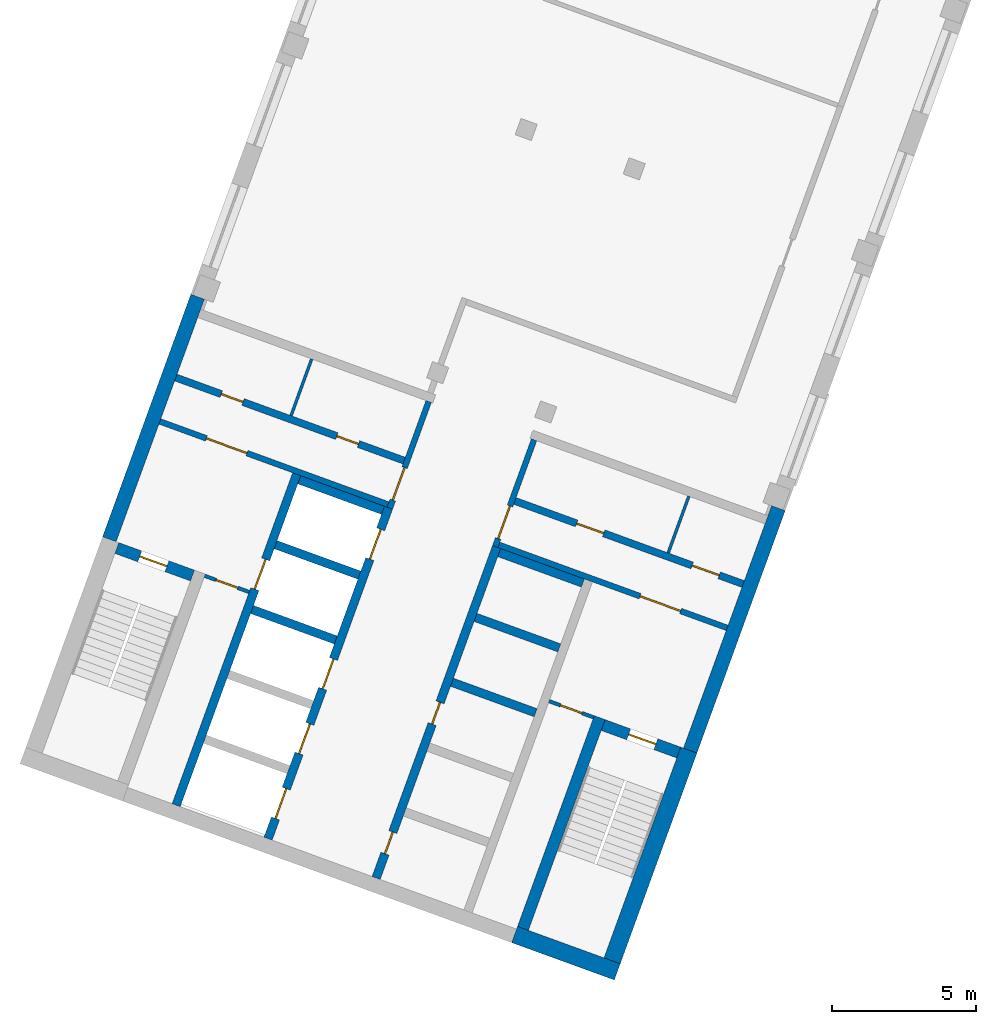
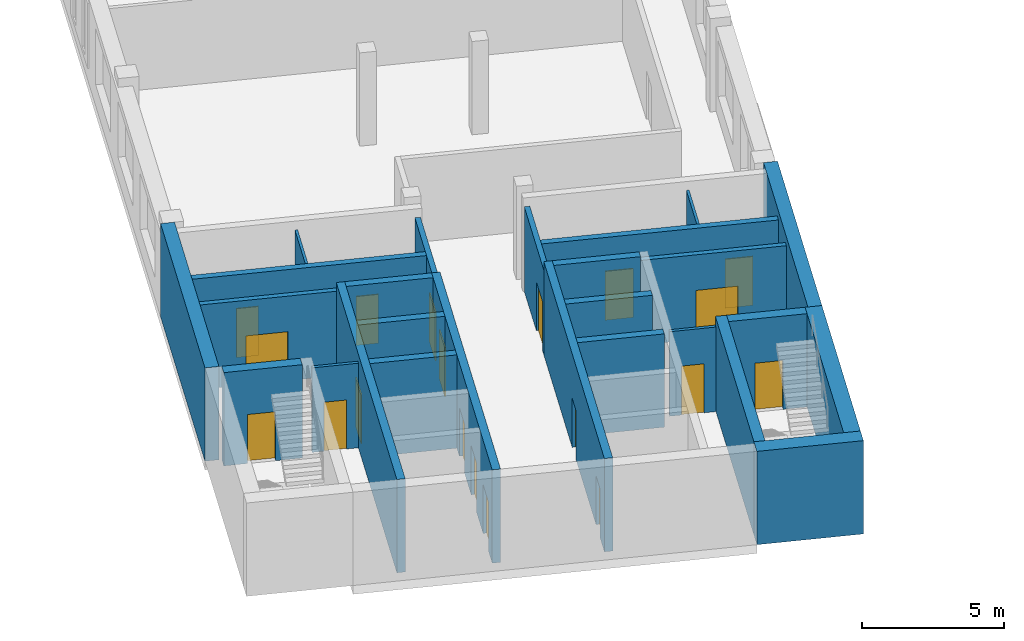
# One storey, part 2 of 8: 26 walls, 19 doors, 19 openings.
"""IFC4 building model written with IfcOpenShell, lengths in metres."""

from ifc_helpers import new_model, si_unit, direction, frame, frame_2d, origin, place, context, subcontext, project, spatial, rectangle, extrude, material, layer, layer_set, type_object, element, fill, save


model = new_model("IFC4")

# Units and contexts
model_context = context("Model", 3, precision=1e-05, world=origin(), true_north=direction((0.0, 1.0)))
body_context = subcontext(model_context, "Body", "Model", "MODEL_VIEW")
ifc_project = project(units=[si_unit("LENGTHUNIT", "METRE"), si_unit("AREAUNIT", "SQUARE_METRE"), si_unit("VOLUMEUNIT", "CUBIC_METRE"), si_unit("PLANEANGLEUNIT", "RADIAN"), si_unit("MASSUNIT", "GRAM", prefix="KILO")], contexts=[model_context])

# Site, building, storey
site_placement = place(None, origin())
site = spatial("IfcSite", under=ifc_project, at=site_placement, CompositionType="ELEMENT")
building_placement = place(site_placement, origin())
building = spatial("IfcBuilding", under=site, at=building_placement, Name="Skarvind Civic Tower", CompositionType="ELEMENT")
storey_placement = place(building_placement, frame((0.0, 0.0, 216.0)))
storey = spatial("IfcBuildingStorey", under=building, at=storey_placement, Name="L51", CompositionType="ELEMENT", Elevation=216.0)

# Wall, opening, door
ifc_material_1 = material(Name="Fire-rated masonry partition", Category="masonry")
ifc_layer_1 = layer(ifc_material_1, 0.199951171875)
ifc_layer_set_1 = layer_set([ifc_layer_1], Name="Core enclosure wall 200")
wall_type_1 = type_object("IfcWallType", Name="Core enclosure wall 200", PredefinedType="PARTITIONING", material=ifc_layer_set_1)
wall_1_placement = place(storey_placement, frame((31.42724609375, 93.663330078125, 0.0), z_axis=(0.0, 0.0, 1.0), x_axis=(0.342030870568, 0.93968871632, 0.0)))
wall_1 = element("IfcWall", 1, at=wall_1_placement, inside=storey, type_object=wall_type_1, Name="Core wall C2", PredefinedType="PARTITIONING", context=body_context, shape_type="SweptSolid", body=[
    extrude(rectangle(XDim=3.9501953125, YDim=0.199951171875, at=frame_2d((1.97509765625, 0.0))), origin(), (0.0, 0.0, 1.0), 3.625),
])
opening_1_placement = place(wall_1_placement, frame((0.300048828125, 0.0, 0.0)))
opening_1 = element("IfcOpeningElement", 2, at=opening_1_placement, cuts=wall_1, Name="Opening D-L51-C2-07", PredefinedType="OPENING", context=body_context, shape_type="SweptSolid", body=[
    extrude(rectangle(XDim=1.199951171875, YDim=2.10009765625, at=frame_2d((0.60009765625, 1.050048828125))), frame((0.0, 0.10986328125, 0.0), z_axis=(0.0, -1.0, 0.0), x_axis=(1.0, 0.0, 0.0)), (0.0, 0.0, 1.0), 0.219970703125),
])
ifc_material_2 = material(Name="Fire-rated steel door", Category="steel")
door_type_1 = type_object("IfcDoorType", Name="Core lobby door 1200", OperationType="NOTDEFINED", PredefinedType="DOOR", material=ifc_material_2)
door_1_placement = place(opening_1_placement, origin())
door_1 = element("IfcDoor", 3, at=door_1_placement, inside=storey, type_object=door_type_1, Name="Fire door", OperationType="DOUBLE_DOOR_SINGLE_SWING", OverallHeight=2.10009765625, OverallWidth=1.199951171875, PredefinedType="DOOR", context=body_context, shape_type="SweptSolid", body=[
    extrude(rectangle(XDim=1.199951171875, YDim=2.10009765625, at=frame_2d((0.60009765625, 1.050048828125))), frame((0.0, 0.02490234375, 0.0), z_axis=(0.0, -1.0, 0.0), x_axis=(1.0, 0.0, 0.0)), (0.0, 0.0, 1.0), 0.050048828125),
])
fill(opening_1, door_1)

wall_2_placement = place(storey_placement, frame((23.42724609375, 96.681640625, 0.0), z_axis=(0.0, 0.0, 1.0), x_axis=(0.939690465531, -0.342026064782, 0.0)))
wall_2 = element("IfcWall", 4, at=wall_2_placement, inside=storey, type_object=wall_type_1, Name="Core wall C2", PredefinedType="PARTITIONING", context=body_context, shape_type="SweptSolid", body=[
    extrude(rectangle(XDim=8.449951171875, YDim=0.199951171875, at=frame_2d((4.22509765625, 0.0))), origin(), (0.0, 0.0, 1.0), 3.625),
])
opening_2_placement = place(wall_2_placement, frame((1.72509765625, 0.0, 0.0)))
opening_2 = element("IfcOpeningElement", 5, at=opening_2_placement, cuts=wall_2, Name="Opening D-L51-C2-08", PredefinedType="OPENING", context=body_context, shape_type="SweptSolid", body=[
    extrude(rectangle(XDim=1.5, YDim=2.10009765625, at=frame_2d((0.75, 1.050048828125))), frame((0.0, 0.10986328125, 0.0), z_axis=(0.0, -1.0, 0.0), x_axis=(1.0, 0.0, 0.0)), (0.0, 0.0, 1.0), 0.219970703125),
])
door_type_2 = type_object("IfcDoorType", Name="Fire door 1500", OperationType="NOTDEFINED", PredefinedType="DOOR", material=ifc_material_2)
door_2_placement = place(opening_2_placement, origin())
door_2 = element("IfcDoor", 6, at=door_2_placement, inside=storey, type_object=door_type_2, Name="Fire door", OperationType="DOUBLE_DOOR_SINGLE_SWING", OverallHeight=2.10009765625, OverallWidth=1.5, PredefinedType="DOOR", context=body_context, shape_type="SweptSolid", body=[
    extrude(rectangle(XDim=1.5, YDim=2.10009765625, at=frame_2d((0.75, 1.050048828125))), frame((0.0, 0.02490234375, 0.0), z_axis=(0.0, -1.0, 0.0), x_axis=(1.0, 0.0, 0.0)), (0.0, 0.0, 1.0), 0.050048828125),
])
fill(opening_2, door_2)

wall_3_placement = place(storey_placement, frame((36.443115234375, 96.041259765625, 0.0), z_axis=(0.0, 0.0, 1.0), x_axis=(-0.341996156931, -0.939701350773, 0.0)))
wall_3 = element("IfcWall", 7, at=wall_3_placement, inside=storey, type_object=wall_type_1, Name="Core wall C2", PredefinedType="PARTITIONING", context=body_context, shape_type="SweptSolid", body=[
    extrude(rectangle(XDim=3.949951171875, YDim=0.199951171875, at=frame_2d((1.97509765625, 0.0))), origin(), (0.0, 0.0, 1.0), 3.625),
])
opening_3_placement = place(wall_3_placement, frame((2.449951171875, 0.0, 0.0)))
opening_3 = element("IfcOpeningElement", 8, at=opening_3_placement, cuts=wall_3, Name="Opening D-L51-C2-13", PredefinedType="OPENING", context=body_context, shape_type="SweptSolid", body=[
    extrude(rectangle(XDim=1.199951171875, YDim=2.10009765625, at=frame_2d((0.60009765625, 1.050048828125))), frame((0.0, 0.10986328125, 0.0), z_axis=(0.0, -1.0, 0.0), x_axis=(1.0, 0.0, 0.0)), (0.0, 0.0, 1.0), 0.219970703125),
])
door_3_placement = place(opening_3_placement, origin())
door_3 = element("IfcDoor", 9, at=door_3_placement, inside=storey, type_object=door_type_1, Name="Fire door", OperationType="DOUBLE_DOOR_SINGLE_SWING", OverallHeight=2.10009765625, OverallWidth=1.199951171875, PredefinedType="DOOR", context=body_context, shape_type="SweptSolid", body=[
    extrude(rectangle(XDim=1.199951171875, YDim=2.10009765625, at=frame_2d((0.60009765625, 1.050048828125))), frame((0.0, 0.02490234375, 0.0), z_axis=(0.0, -1.0, 0.0), x_axis=(1.0, 0.0, 0.0)), (0.0, 0.0, 1.0), 0.050048828125),
])
fill(opening_3, door_3)

wall_4_placement = place(storey_placement, frame((35.22021484375, 92.389404296875, 0.0), z_axis=(0.0, 0.0, 1.0), x_axis=(0.939690465531, -0.342026064782, 0.0)))
wall_4 = element("IfcWall", 10, at=wall_4_placement, inside=storey, type_object=wall_type_1, Name="Core wall C2", PredefinedType="PARTITIONING", context=body_context, shape_type="SweptSolid", body=[
    extrude(rectangle(XDim=8.449951171875, YDim=0.199951171875, at=frame_2d((4.22509765625, 0.0))), origin(), (0.0, 0.0, 1.0), 3.625),
])
opening_4_placement = place(wall_4_placement, frame((5.22509765625, 0.0, 0.0)))
opening_4 = element("IfcOpeningElement", 11, at=opening_4_placement, cuts=wall_4, Name="Opening D-L51-C2-14", PredefinedType="OPENING", context=body_context, shape_type="SweptSolid", body=[
    extrude(rectangle(XDim=1.5, YDim=2.10009765625, at=frame_2d((0.75, 1.050048828125))), frame((0.0, 0.10986328125, 0.0), z_axis=(0.0, -1.0, 0.0), x_axis=(1.0, 0.0, 0.0)), (0.0, 0.0, 1.0), 0.219970703125),
])
door_4_placement = place(opening_4_placement, origin())
door_4 = element("IfcDoor", 12, at=door_4_placement, inside=storey, type_object=door_type_2, Name="Fire door", OperationType="DOUBLE_DOOR_SINGLE_SWING", OverallHeight=2.10009765625, OverallWidth=1.5, PredefinedType="DOOR", context=body_context, shape_type="SweptSolid", body=[
    extrude(rectangle(XDim=1.5, YDim=2.10009765625, at=frame_2d((0.75, 1.050048828125))), frame((0.0, 0.02490234375, 0.0), z_axis=(0.0, -1.0, 0.0), x_axis=(1.0, 0.0, 0.0)), (0.0, 0.0, 1.0), 0.050048828125),
])
fill(opening_4, door_4)

# Walls
ifc_material_3 = material(Name="Fire-rated plasterboard partition")
ifc_layer_2 = layer(ifc_material_3, 0.10009765625)
ifc_layer_set_2 = layer_set([ifc_layer_2], Name="Core partition wall 100")
wall_type_2 = type_object("IfcWallType", Name="Core partition wall 100", PredefinedType="PARTITIONING", material=ifc_layer_set_2)
for number, where, z_axis, x_axis, name in (
    (13, (27.9912109375, 96.8828125, 0.0), (0.0, 0.0, 1.0), (0.342023078919, 0.939691552312, 0.0), "Core wall C2"),
    (14, (41.82763671875, 94.08154296875, 0.0), (0.0, 0.0, 1.0), (-0.342023078919, -0.939691552312, 0.0), "Core wall C2"),
):
    element("IfcWall", number, at=place(storey_placement, frame(where, z_axis=z_axis, x_axis=x_axis)), inside=storey, type_object=wall_type_2, Name=name, PredefinedType="PARTITIONING", context=body_context, shape_type="SweptSolid", body=[
        extrude(rectangle(XDim=2.10009765625, YDim=0.10009765625, at=frame_2d((1.050048828125, 0.0))), origin(), (0.0, 0.0, 1.0), 3.625),
    ])

# Wall, openings, doors
ifc_material_4 = material(Name="Concrete C60", Category="concrete")
ifc_layer_3 = layer(ifc_material_4, 0.300048828125)
ifc_layer_set_3 = layer_set([ifc_layer_3], Name="Core wall 300 C60")
wall_type_3 = type_object("IfcWallType", Name="Core wall 300 C60", PredefinedType="SHEAR", material=ifc_layer_set_3)
wall_5_placement = place(storey_placement, frame((30.949462890625, 80.80126953125, 0.0), z_axis=(0.0, 0.0, 1.0), x_axis=(0.342016684409, 0.939693879721, 0.0)))
wall_5 = element("IfcWall", 15, at=wall_5_placement, inside=storey, type_object=wall_type_3, Name="Core wall C2 south lift row front L51", PredefinedType="SHEAR", context=body_context, shape_type="SweptSolid", body=[
    extrude(rectangle(XDim=12.25, YDim=0.300048828125, at=frame_2d((6.125, 0.0))), origin(), (0.0, 0.0, 1.0), 4.0),
])
opening_5_placement = place(wall_5_placement, frame((0.89990234375, 0.0, 0.0)))
opening_5 = element("IfcOpeningElement", 16, at=opening_5_placement, cuts=wall_5, Name="Opening D-L51-C2-05", PredefinedType="OPENING", context=body_context, shape_type="SweptSolid", body=[
    extrude(rectangle(XDim=0.800048828125, YDim=2.10009765625, at=frame_2d((0.39990234375, 1.050048828125))), frame((0.0, 0.159912109375, 0.0), z_axis=(0.0, -1.0, 0.0), x_axis=(1.0, 0.0, 0.0)), (0.0, 0.0, 1.0), 0.320068359375),
])
opening_6_placement = place(wall_5_placement, frame((5.699951171875, 0.0, 0.0)))
opening_6 = element("IfcOpeningElement", 17, at=opening_6_placement, cuts=wall_5, Name="Opening D-L51-C2-06", PredefinedType="OPENING", context=body_context, shape_type="SweptSolid", body=[
    extrude(rectangle(XDim=0.800048828125, YDim=2.10009765625, at=frame_2d((0.39990234375, 1.050048828125))), frame((0.0, 0.159912109375, 0.0), z_axis=(0.0, -1.0, 0.0), x_axis=(1.0, 0.0, 0.0)), (0.0, 0.0, 1.0), 0.320068359375),
])
door_type_3 = type_object("IfcDoorType", Name="Core riser door 800", OperationType="NOTDEFINED", PredefinedType="DOOR", material=ifc_material_2)
door_5_placement = place(opening_5_placement, origin())
door_5 = element("IfcDoor", 18, at=door_5_placement, inside=storey, type_object=door_type_3, Name="Riser door", OperationType="SINGLE_SWING_LEFT", OverallHeight=2.10009765625, OverallWidth=0.800048828125, PredefinedType="DOOR", context=body_context, shape_type="SweptSolid", body=[
    extrude(rectangle(XDim=0.800048828125, YDim=2.10009765625, at=frame_2d((0.39990234375, 1.050048828125))), frame((0.0, 0.02490234375, 0.0), z_axis=(0.0, -1.0, 0.0), x_axis=(1.0, 0.0, 0.0)), (0.0, 0.0, 1.0), 0.050048828125),
])
fill(opening_5, door_5)
door_6_placement = place(opening_6_placement, origin())
door_6 = element("IfcDoor", 19, at=door_6_placement, inside=storey, type_object=door_type_3, Name="Riser door", OperationType="SINGLE_SWING_RIGHT", OverallHeight=2.10009765625, OverallWidth=0.800048828125, PredefinedType="DOOR", context=body_context, shape_type="SweptSolid", body=[
    extrude(rectangle(XDim=0.800048828125, YDim=2.10009765625, at=frame_2d((0.39990234375, 1.050048828125))), frame((0.0, 0.02490234375, 0.0), z_axis=(0.0, -1.0, 0.0), x_axis=(1.0, 0.0, 0.0)), (0.0, 0.0, 1.0), 0.050048828125),
])
fill(opening_6, door_6)

# Walls
for number, where, z_axis, x_axis, name in (
    (20, (36.500244140625, 86.54931640625, 0.0), (0.0, 0.0, 1.0), (-0.939689908313, 0.342027595692, 0.0), "Core wall C2 south lift row division 3 L51"),
    (21, (37.321044921875, 88.8046875, 0.0), (0.0, 0.0, 1.0), (-0.939689908313, 0.342027595692, 0.0), "Core wall C2 south lift row division 4 L51"),
    (22, (38.141845703125, 91.059814453125, 0.0), (0.0, 0.0, 1.0), (-0.939689908313, 0.342027595692, 0.0), "Core wall C2 south lift row division 5 L51"),
):
    element("IfcWall", number, at=place(storey_placement, frame(where, z_axis=z_axis, x_axis=x_axis)), inside=storey, type_object=wall_type_3, Name=name, PredefinedType="SHEAR", context=body_context, shape_type="SweptSolid", body=[
        extrude(rectangle(XDim=3.10009765625, YDim=0.300048828125, at=frame_2d((1.550048828125, 0.0))), origin(), (0.0, 0.0, 1.0), 4.0),
    ])

# Wall, openings, doors
wall_6_placement = place(storey_placement, frame((27.190673828125, 82.169189453125, 0.0), z_axis=(0.0, 0.0, 1.0), x_axis=(0.342016684409, 0.939693879721, 0.0)))
wall_6 = element("IfcWall", 23, at=wall_6_placement, inside=storey, type_object=wall_type_3, Name="Core wall C2 north lift row front L51", PredefinedType="SHEAR", context=body_context, shape_type="SweptSolid", body=[
    extrude(rectangle(XDim=12.25, YDim=0.300048828125, at=frame_2d((6.125, 0.0))), origin(), (0.0, 0.0, 1.0), 4.0),
])
opening_7_placement = place(wall_6_placement, frame((0.75, 0.0, 0.0)))
opening_7 = element("IfcOpeningElement", 24, at=opening_7_placement, cuts=wall_6, Name="Opening LD53201", PredefinedType="OPENING", context=body_context, shape_type="SweptSolid", body=[
    extrude(rectangle(XDim=1.10009765625, YDim=2.10009765625, at=frame_2d((0.550048828125, 1.050048828125))), frame((0.0, 0.159912109375, 0.0), z_axis=(0.0, -1.0, 0.0), x_axis=(1.0, 0.0, 0.0)), (0.0, 0.0, 1.0), 0.320068359375),
])
opening_8_placement = place(wall_6_placement, frame((3.14990234375, 0.0, 0.0)))
opening_8 = element("IfcOpeningElement", 25, at=opening_8_placement, cuts=wall_6, Name="Opening LD53202", PredefinedType="OPENING", context=body_context, shape_type="SweptSolid", body=[
    extrude(rectangle(XDim=1.10009765625, YDim=2.10009765625, at=frame_2d((0.550048828125, 1.050048828125))), frame((0.0, 0.159912109375, 0.0), z_axis=(0.0, -1.0, 0.0), x_axis=(1.0, 0.0, 0.0)), (0.0, 0.0, 1.0), 0.320068359375),
])
opening_9_placement = place(wall_6_placement, frame((5.550048828125, 0.0, 0.0)))
opening_9 = element("IfcOpeningElement", 26, at=opening_9_placement, cuts=wall_6, Name="Opening LD53203", PredefinedType="OPENING", context=body_context, shape_type="SweptSolid", body=[
    extrude(rectangle(XDim=1.10009765625, YDim=2.10009765625, at=frame_2d((0.550048828125, 1.050048828125))), frame((0.0, 0.159912109375, 0.0), z_axis=(0.0, -1.0, 0.0), x_axis=(1.0, 0.0, 0.0)), (0.0, 0.0, 1.0), 0.320068359375),
])
opening_10_placement = place(wall_6_placement, frame((10.35009765625, 0.0, 0.0)))
opening_10 = element("IfcOpeningElement", 27, at=opening_10_placement, cuts=wall_6, Name="Opening LD53205", PredefinedType="OPENING", context=body_context, shape_type="SweptSolid", body=[
    extrude(rectangle(XDim=1.10009765625, YDim=2.10009765625, at=frame_2d((0.550048828125, 1.050048828125))), frame((0.0, 0.159912109375, 0.0), z_axis=(0.0, -1.0, 0.0), x_axis=(1.0, 0.0, 0.0)), (0.0, 0.0, 1.0), 0.320068359375),
])
ifc_material_5 = material(Name="Stainless steel landing door", Category="steel")
door_type_4 = type_object("IfcDoorType", Name="Lift landing door 1100", OperationType="DOUBLE_DOOR_SLIDING", PredefinedType="DOOR", material=ifc_material_5)
door_7_placement = place(opening_7_placement, origin())
door_7 = element("IfcDoor", 28, at=door_7_placement, inside=storey, type_object=door_type_4, Name="Lift landing door", OperationType="DOUBLE_DOOR_SLIDING", OverallHeight=2.10009765625, OverallWidth=1.10009765625, PredefinedType="DOOR", context=body_context, shape_type="SweptSolid", body=[
    extrude(rectangle(XDim=1.10009765625, YDim=2.10009765625, at=frame_2d((0.550048828125, 1.050048828125))), frame((0.0, 0.02490234375, 0.0), z_axis=(0.0, -1.0, 0.0), x_axis=(1.0, 0.0, 0.0)), (0.0, 0.0, 1.0), 0.050048828125),
])
fill(opening_7, door_7)
door_8_placement = place(opening_8_placement, origin())
door_8 = element("IfcDoor", 29, at=door_8_placement, inside=storey, type_object=door_type_4, Name="Lift landing door", OperationType="DOUBLE_DOOR_SLIDING", OverallHeight=2.10009765625, OverallWidth=1.10009765625, PredefinedType="DOOR", context=body_context, shape_type="SweptSolid", body=[
    extrude(rectangle(XDim=1.10009765625, YDim=2.10009765625, at=frame_2d((0.550048828125, 1.050048828125))), frame((0.0, 0.02490234375, 0.0), z_axis=(0.0, -1.0, 0.0), x_axis=(1.0, 0.0, 0.0)), (0.0, 0.0, 1.0), 0.050048828125),
])
fill(opening_8, door_8)
door_9_placement = place(opening_9_placement, origin())
door_9 = element("IfcDoor", 30, at=door_9_placement, inside=storey, type_object=door_type_4, Name="Lift landing door", OperationType="DOUBLE_DOOR_SLIDING", OverallHeight=2.10009765625, OverallWidth=1.10009765625, PredefinedType="DOOR", context=body_context, shape_type="SweptSolid", body=[
    extrude(rectangle(XDim=1.10009765625, YDim=2.10009765625, at=frame_2d((0.550048828125, 1.050048828125))), frame((0.0, 0.02490234375, 0.0), z_axis=(0.0, -1.0, 0.0), x_axis=(1.0, 0.0, 0.0)), (0.0, 0.0, 1.0), 0.050048828125),
])
fill(opening_9, door_9)
door_10_placement = place(opening_10_placement, origin())
door_10 = element("IfcDoor", 31, at=door_10_placement, inside=storey, type_object=door_type_4, Name="Lift landing door", OperationType="DOUBLE_DOOR_SLIDING", OverallHeight=2.10009765625, OverallWidth=1.10009765625, PredefinedType="DOOR", context=body_context, shape_type="SweptSolid", body=[
    extrude(rectangle(XDim=1.10009765625, YDim=2.10009765625, at=frame_2d((0.550048828125, 1.050048828125))), frame((0.0, 0.02490234375, 0.0), z_axis=(0.0, -1.0, 0.0), x_axis=(1.0, 0.0, 0.0)), (0.0, 0.0, 1.0), 0.050048828125),
])
fill(opening_10, door_10)

# Wall, opening, door
wall_7_placement = place(storey_placement, frame((23.99560546875, 83.33203125, 0.0), z_axis=(0.0, 0.0, 1.0), x_axis=(0.342016684409, 0.939693879721, 0.0)))
wall_7 = element("IfcWall", 32, at=wall_7_placement, inside=storey, type_object=wall_type_3, Name="Core wall C2 north lift row back L51", PredefinedType="SHEAR", context=body_context, shape_type="SweptSolid", body=[
    extrude(rectangle(XDim=12.25, YDim=0.300048828125, at=frame_2d((6.125, 0.0))), origin(), (0.0, 0.0, 1.0), 4.0),
])
opening_11_placement = place(wall_7_placement, frame((8.0, 0.0, 0.0)))
opening_11 = element("IfcOpeningElement", 33, at=opening_11_placement, cuts=wall_7, Name="Opening LD53204", PredefinedType="OPENING", context=body_context, shape_type="SweptSolid", body=[
    extrude(rectangle(XDim=1.10009765625, YDim=2.10009765625, at=frame_2d((0.550048828125, 1.050048828125))), frame((0.0, 0.159912109375, 0.0), z_axis=(0.0, -1.0, 0.0), x_axis=(1.0, 0.0, 0.0)), (0.0, 0.0, 1.0), 0.320068359375),
])
door_11_placement = place(opening_11_placement, origin())
door_11 = element("IfcDoor", 34, at=door_11_placement, inside=storey, type_object=door_type_4, Name="Lift landing door", OperationType="DOUBLE_DOOR_SLIDING", OverallHeight=2.10009765625, OverallWidth=1.10009765625, PredefinedType="DOOR", context=body_context, shape_type="SweptSolid", body=[
    extrude(rectangle(XDim=1.10009765625, YDim=2.10009765625, at=frame_2d((0.550048828125, 1.050048828125))), frame((0.0, 0.02490234375, 0.0), z_axis=(0.0, -1.0, 0.0), x_axis=(1.0, 0.0, 0.0)), (0.0, 0.0, 1.0), 0.050048828125),
])
fill(opening_11, door_11)

# Walls
wall_8_placement = place(storey_placement, frame((29.54638671875, 89.080322265625, 0.0), z_axis=(0.0, 0.0, 1.0), x_axis=(-0.939689908313, 0.342027595692, 0.0)))
element("IfcWall", 35, at=wall_8_placement, inside=storey, type_object=wall_type_3, Name="Core wall C2 north lift row division 3 L51", PredefinedType="SHEAR", context=body_context, shape_type="SweptSolid", body=[
    extrude(rectangle(XDim=3.10009765625, YDim=0.300048828125, at=frame_2d((1.550048828125, 0.0))), origin(), (0.0, 0.0, 1.0), 4.0),
])
for number, where, z_axis, x_axis, name in (
    (36, (30.3671875, 91.335693359375, 0.0), (0.0, 0.0, 1.0), (-0.939715217871, 0.341958051961, 0.0), "Core wall C2 north lift row division 4 L51"),
    (37, (31.18798828125, 93.5908203125, 0.0), (0.0, 0.0, 1.0), (-0.939680694448, 0.342052908892, 0.0), "Core wall C2 north lift row division 5 L51"),
):
    element("IfcWall", number, at=place(storey_placement, frame(where, z_axis=z_axis, x_axis=x_axis)), inside=storey, type_object=wall_type_3, Name=name, PredefinedType="SHEAR", context=body_context, shape_type="SweptSolid", body=[
        extrude(rectangle(XDim=3.099853515625, YDim=0.300048828125, at=frame_2d((1.5498046875, 0.0))), origin(), (0.0, 0.0, 1.0), 4.0),
    ])
ifc_layer_4 = layer(ifc_material_4, 0.39990234375)
ifc_layer_set_4 = layer_set([ifc_layer_4], Name="Core wall 400 C60")
wall_type_4 = type_object("IfcWallType", Name="Core wall 400 C60", PredefinedType="SHEAR", material=ifc_layer_set_4)
wall_9_placement = place(storey_placement, frame((36.057861328125, 79.04833984375, 0.0), z_axis=(0.0, 0.0, 1.0), x_axis=(0.342016982193, 0.939693771338, 0.0)))
element("IfcWall", 38, at=wall_9_placement, inside=storey, type_object=wall_type_4, Name="Core wall C2 south stair inner L51", PredefinedType="SHEAR", context=body_context, shape_type="SweptSolid", body=[
    extrude(rectangle(XDim=7.800048828125, YDim=0.39990234375, at=frame_2d((3.89990234375, 0.0))), origin(), (0.0, 0.0, 1.0), 4.0),
])

# Wall, opening, door
wall_10_placement = place(storey_placement, frame((41.476318359375, 85.163818359375, 0.0), z_axis=(0.0, 0.0, 1.0), x_axis=(-0.939678810556, 0.342058084236, 0.0)))
wall_10 = element("IfcWall", 39, at=wall_10_placement, inside=storey, type_object=wall_type_4, Name="Core wall C2 south stair end L51", PredefinedType="SHEAR", context=body_context, shape_type="SweptSolid", body=[
    extrude(rectangle(XDim=2.800048828125, YDim=0.39990234375, at=frame_2d((1.39990234375, 0.0))), origin(), (0.0, 0.0, 1.0), 4.0),
])
opening_12_placement = place(wall_10_placement, frame((0.85009765625, 0.0, 0.0)))
opening_12 = element("IfcOpeningElement", 40, at=opening_12_placement, cuts=wall_10, Name="Opening D-L51-C2-15", PredefinedType="OPENING", context=body_context, shape_type="SweptSolid", body=[
    extrude(rectangle(XDim=1.0, YDim=2.10009765625, at=frame_2d((0.5, 1.050048828125))), frame((0.0, 0.2099609375, 0.0), z_axis=(0.0, -1.0, 0.0), x_axis=(1.0, 0.0, 0.0)), (0.0, 0.0, 1.0), 0.419921875),
])
door_type_5 = type_object("IfcDoorType", Name="Fire door 1000", OperationType="NOTDEFINED", PredefinedType="DOOR", material=ifc_material_2)
door_12_placement = place(opening_12_placement, origin())
door_12 = element("IfcDoor", 41, at=door_12_placement, inside=storey, type_object=door_type_5, Name="Fire door", OperationType="SINGLE_SWING_RIGHT", OverallHeight=2.10009765625, OverallWidth=1.0, PredefinedType="DOOR", context=body_context, shape_type="SweptSolid", body=[
    extrude(rectangle(XDim=1.0, YDim=2.10009765625, at=frame_2d((0.5, 1.050048828125))), frame((0.0, 0.02490234375, 0.0), z_axis=(0.0, -1.0, 0.0), x_axis=(1.0, 0.0, 0.0)), (0.0, 0.0, 1.0), 0.050048828125),
])
fill(opening_12, door_12)

wall_11_placement = place(storey_placement, frame((24.56201171875, 91.3203125, 0.0), z_axis=(0.0, 0.0, 1.0), x_axis=(-0.939717030584, 0.341953070509, 0.0)))
wall_11 = element("IfcWall", 42, at=wall_11_placement, inside=storey, type_object=wall_type_4, Name="Core wall C2 north stair end L51", PredefinedType="SHEAR", context=body_context, shape_type="SweptSolid", body=[
    extrude(rectangle(XDim=2.800048828125, YDim=0.39990234375, at=frame_2d((1.39990234375, 0.0))), origin(), (0.0, 0.0, 1.0), 4.0),
])
opening_13_placement = place(wall_11_placement, frame((0.949951171875, 0.0, 0.0)))
opening_13 = element("IfcOpeningElement", 43, at=opening_13_placement, cuts=wall_11, Name="Opening D-L51-C2-09", PredefinedType="OPENING", context=body_context, shape_type="SweptSolid", body=[
    extrude(rectangle(XDim=1.0, YDim=2.10009765625, at=frame_2d((0.5, 1.050048828125))), frame((0.0, 0.2099609375, 0.0), z_axis=(0.0, -1.0, 0.0), x_axis=(1.0, 0.0, 0.0)), (0.0, 0.0, 1.0), 0.419921875),
])
door_13_placement = place(opening_13_placement, origin())
door_13 = element("IfcDoor", 44, at=door_13_placement, inside=storey, type_object=door_type_5, Name="Fire door", OperationType="SINGLE_SWING_LEFT", OverallHeight=2.10009765625, OverallWidth=1.0, PredefinedType="DOOR", context=body_context, shape_type="SweptSolid", body=[
    extrude(rectangle(XDim=1.0, YDim=2.10009765625, at=frame_2d((0.5, 1.050048828125))), frame((0.0, 0.02490234375, 0.0), z_axis=(0.0, -1.0, 0.0), x_axis=(1.0, 0.0, 0.0)), (0.0, 0.0, 1.0), 0.050048828125),
])
fill(opening_13, door_13)

# Walls
ifc_layer_5 = layer(ifc_material_4, 0.5)
ifc_layer_set_5 = layer_set([ifc_layer_5], Name="Core wall 500 C60")
wall_type_5 = type_object("IfcWallType", Name="Core wall 500 C60", PredefinedType="SHEAR", material=ifc_layer_set_5)
wall_12_placement = place(storey_placement, frame((41.873779296875, 85.232177734375, 0.0), z_axis=(0.0, 0.0, 1.0), x_axis=(0.342020437038, 0.939692513883, 0.0)))
element("IfcWall", 45, at=wall_12_placement, inside=storey, type_object=wall_type_5, Name="Core wall C2 south side L51", PredefinedType="SHEAR", context=body_context, shape_type="SweptSolid", body=[
    extrude(rectangle(XDim=8.974853515625, YDim=0.5, at=frame_2d((4.4873046875, 0.0))), origin(), (0.0, 0.0, 1.0), 4.0),
])
wall_13_placement = place(storey_placement, frame((21.670166015625, 92.58544921875, 0.0), z_axis=(0.0, 0.0, 1.0), x_axis=(0.342035714298, 0.93968695327, 0.0)))
element("IfcWall", 46, at=wall_13_placement, inside=storey, type_object=wall_type_5, Name="Core wall C2 north side L51", PredefinedType="SHEAR", context=body_context, shape_type="SweptSolid", body=[
    extrude(rectangle(XDim=8.97509765625, YDim=0.5, at=frame_2d((4.487548828125, 0.0))), origin(), (0.0, 0.0, 1.0), 4.0),
])
ifc_layer_6 = layer(ifc_material_4, 0.60009765625)
ifc_layer_set_6 = layer_set([ifc_layer_6], Name="Core wall 600 C60")
wall_type_6 = type_object("IfcWallType", Name="Core wall 600 C60", PredefinedType="SHEAR", material=ifc_layer_set_6)
wall_14_placement = place(storey_placement, frame((39.338134765625, 77.53515625, 0.0), z_axis=(0.0, 0.0, 1.0), x_axis=(-0.939701471648, 0.341995824804, 0.0)))
element("IfcWall", 47, at=wall_14_placement, inside=storey, type_object=wall_type_6, Name="Core wall C2 tip at the south stair L51", PredefinedType="SHEAR", context=body_context, shape_type="SweptSolid", body=[
    extrude(rectangle(XDim=3.800048828125, YDim=0.60009765625, at=frame_2d((1.89990234375, 0.0))), origin(), (0.0, 0.0, 1.0), 4.0),
])
wall_15_placement = place(storey_placement, frame((39.158935546875, 77.919677734375, 0.0), z_axis=(0.0, 0.0, 1.0), x_axis=(0.342016982193, 0.939693771338, 0.0)))
element("IfcWall", 48, at=wall_15_placement, inside=storey, type_object=wall_type_6, Name="Core wall C2 south side at the stair L51", PredefinedType="SHEAR", context=body_context, shape_type="SweptSolid", body=[
    extrude(rectangle(XDim=7.800048828125, YDim=0.60009765625, at=frame_2d((3.89990234375, 0.0))), origin(), (0.0, 0.0, 1.0), 4.0),
])

# Wall, opening, door
ifc_layer_7 = layer(ifc_material_1, 0.125)
ifc_layer_set_7 = layer_set([ifc_layer_7], Name="Riser wall 125")
wall_type_7 = type_object("IfcWallType", Name="Riser wall 125", PredefinedType="PARTITIONING", material=ifc_layer_set_7)
wall_16_placement = place(storey_placement, frame((24.98486328125, 91.3125, 0.0), z_axis=(0.0, 0.0, 1.0), x_axis=(0.939719959755, -0.341945020783, 0.0)))
wall_16 = element("IfcWall", 49, at=wall_16_placement, inside=storey, type_object=wall_type_7, Name="Core wall C2", PredefinedType="PARTITIONING", context=body_context, shape_type="SweptSolid", body=[
    extrude(rectangle(XDim=1.64990234375, YDim=0.125, at=frame_2d((0.824951171875, 0.0))), origin(), (0.0, 0.0, 1.0), 3.625),
])
opening_14_placement = place(wall_16_placement, frame((0.425048828125, 0.0, 0.0)))
opening_14 = element("IfcOpeningElement", 50, at=opening_14_placement, cuts=wall_16, Name="Opening D-L51-C2-10", PredefinedType="OPENING", context=body_context, shape_type="SweptSolid", body=[
    extrude(rectangle(XDim=0.800048828125, YDim=2.10009765625, at=frame_2d((0.39990234375, 1.050048828125))), frame((0.0, 0.072509765625, 0.0), z_axis=(0.0, -1.0, 0.0), x_axis=(1.0, 0.0, 0.0)), (0.0, 0.0, 1.0), 0.14501953125),
])
door_14_placement = place(opening_14_placement, origin())
door_14 = element("IfcDoor", 51, at=door_14_placement, inside=storey, type_object=door_type_3, Name="Riser door", OperationType="SINGLE_SWING_RIGHT", OverallHeight=2.10009765625, OverallWidth=0.800048828125, PredefinedType="DOOR", context=body_context, shape_type="SweptSolid", body=[
    extrude(rectangle(XDim=0.800048828125, YDim=2.10009765625, at=frame_2d((0.39990234375, 1.050048828125))), frame((0.0, 0.02490234375, 0.0), z_axis=(0.0, -1.0, 0.0), x_axis=(1.0, 0.0, 0.0)), (0.0, 0.0, 1.0), 0.050048828125),
])
fill(opening_14, door_14)

wall_17_placement = place(storey_placement, frame((36.9658203125, 86.951904296875, 0.0), z_axis=(0.0, 0.0, 1.0), x_axis=(0.939672407396, -0.342075674051, 0.0)))
wall_17 = element("IfcWall", 52, at=wall_17_placement, inside=storey, type_object=wall_type_7, Name="Core wall C2", PredefinedType="PARTITIONING", context=body_context, shape_type="SweptSolid", body=[
    extrude(rectangle(XDim=1.650146484375, YDim=0.125, at=frame_2d((0.8251953125, 0.0))), origin(), (0.0, 0.0, 1.0), 3.625),
])
opening_15_placement = place(wall_17_placement, frame((0.425048828125, 0.0, 0.0)))
opening_15 = element("IfcOpeningElement", 53, at=opening_15_placement, cuts=wall_17, Name="Opening D-L51-C2-16", PredefinedType="OPENING", context=body_context, shape_type="SweptSolid", body=[
    extrude(rectangle(XDim=0.800048828125, YDim=2.10009765625, at=frame_2d((0.39990234375, 1.050048828125))), frame((0.0, 0.072509765625, 0.0), z_axis=(0.0, -1.0, 0.0), x_axis=(1.0, 0.0, 0.0)), (0.0, 0.0, 1.0), 0.14501953125),
])
door_15_placement = place(opening_15_placement, origin())
door_15 = element("IfcDoor", 54, at=door_15_placement, inside=storey, type_object=door_type_3, Name="Riser door", OperationType="SINGLE_SWING_LEFT", OverallHeight=2.10009765625, OverallWidth=0.800048828125, PredefinedType="DOOR", context=body_context, shape_type="SweptSolid", body=[
    extrude(rectangle(XDim=0.800048828125, YDim=2.10009765625, at=frame_2d((0.39990234375, 1.050048828125))), frame((0.0, 0.02490234375, 0.0), z_axis=(0.0, -1.0, 0.0), x_axis=(1.0, 0.0, 0.0)), (0.0, 0.0, 1.0), 0.050048828125),
])
fill(opening_15, door_15)

# Wall, openings, doors
ifc_layer_8 = layer(ifc_material_1, 0.25)
ifc_layer_set_8 = layer_set([ifc_layer_8], Name="Service block wall 250")
wall_type_8 = type_object("IfcWallType", Name="Service block wall 250", PredefinedType="PARTITIONING", material=ifc_layer_set_8)
wall_18_placement = place(storey_placement, frame((23.98291015625, 98.20849609375, 0.0), z_axis=(0.0, 0.0, 1.0), x_axis=(0.939699751196, -0.342000552051, 0.0)))
wall_18 = element("IfcWall", 55, at=wall_18_placement, inside=storey, type_object=wall_type_8, Name="Core wall C2", PredefinedType="PARTITIONING", context=body_context, shape_type="SweptSolid", body=[
    extrude(rectangle(XDim=8.449951171875, YDim=0.25, at=frame_2d((4.22509765625, 0.0))), origin(), (0.0, 0.0, 1.0), 3.625),
])
opening_16_placement = place(wall_18_placement, frame((5.9599609375, 0.0, 0.0)))
opening_16 = element("IfcOpeningElement", 56, at=opening_16_placement, cuts=wall_18, Name="Opening D-L51-C2-11", PredefinedType="OPENING", context=body_context, shape_type="SweptSolid", body=[
    extrude(rectangle(XDim=0.800048828125, YDim=2.10009765625, at=frame_2d((0.39990234375, 1.050048828125))), frame((0.0, 0.135009765625, 0.0), z_axis=(0.0, -1.0, 0.0), x_axis=(1.0, 0.0, 0.0)), (0.0, 0.0, 1.0), 0.27001953125),
])
opening_17_placement = place(wall_18_placement, frame((1.68505859375, 0.0, 0.0)))
opening_17 = element("IfcOpeningElement", 57, at=opening_17_placement, cuts=wall_18, Name="Opening D-L51-C2-12", PredefinedType="OPENING", context=body_context, shape_type="SweptSolid", body=[
    extrude(rectangle(XDim=0.800048828125, YDim=2.10009765625, at=frame_2d((0.39990234375, 1.050048828125))), frame((0.0, 0.135009765625, 0.0), z_axis=(0.0, -1.0, 0.0), x_axis=(1.0, 0.0, 0.0)), (0.0, 0.0, 1.0), 0.27001953125),
])
door_16_placement = place(opening_16_placement, origin())
door_16 = element("IfcDoor", 58, at=door_16_placement, inside=storey, type_object=door_type_3, Name="Riser door", OperationType="SINGLE_SWING_LEFT", OverallHeight=2.10009765625, OverallWidth=0.800048828125, PredefinedType="DOOR", context=body_context, shape_type="SweptSolid", body=[
    extrude(rectangle(XDim=0.800048828125, YDim=2.10009765625, at=frame_2d((0.39990234375, 1.050048828125))), frame((0.0, 0.02490234375, 0.0), z_axis=(0.0, -1.0, 0.0), x_axis=(1.0, 0.0, 0.0)), (0.0, 0.0, 1.0), 0.050048828125),
])
fill(opening_16, door_16)
door_17_placement = place(opening_17_placement, origin())
door_17 = element("IfcDoor", 59, at=door_17_placement, inside=storey, type_object=door_type_3, Name="Riser door", OperationType="SINGLE_SWING_RIGHT", OverallHeight=2.10009765625, OverallWidth=0.800048828125, PredefinedType="DOOR", context=body_context, shape_type="SweptSolid", body=[
    extrude(rectangle(XDim=0.800048828125, YDim=2.10009765625, at=frame_2d((0.39990234375, 1.050048828125))), frame((0.0, 0.02490234375, 0.0), z_axis=(0.0, -1.0, 0.0), x_axis=(1.0, 0.0, 0.0)), (0.0, 0.0, 1.0), 0.050048828125),
])
fill(opening_17, door_17)

wall_19_placement = place(storey_placement, frame((35.776123046875, 93.916259765625, 0.0), z_axis=(0.0, 0.0, 1.0), x_axis=(0.939690465531, -0.342026064782, 0.0)))
wall_19 = element("IfcWall", 60, at=wall_19_placement, inside=storey, type_object=wall_type_8, Name="Core wall C2", PredefinedType="PARTITIONING", context=body_context, shape_type="SweptSolid", body=[
    extrude(rectangle(XDim=8.449951171875, YDim=0.25, at=frame_2d((4.22509765625, 0.0))), origin(), (0.0, 0.0, 1.0), 3.625),
])
opening_18_placement = place(wall_19_placement, frame((2.2900390625, 0.0, 0.0)))
opening_18 = element("IfcOpeningElement", 61, at=opening_18_placement, cuts=wall_19, Name="Opening D-L51-C2-17", PredefinedType="OPENING", context=body_context, shape_type="SweptSolid", body=[
    extrude(rectangle(XDim=1.0, YDim=2.10009765625, at=frame_2d((0.5, 1.050048828125))), frame((0.0, 0.135009765625, 0.0), z_axis=(0.0, -1.0, 0.0), x_axis=(1.0, 0.0, 0.0)), (0.0, 0.0, 1.0), 0.27001953125),
])
opening_19_placement = place(wall_19_placement, frame((6.56494140625, 0.0, 0.0)))
opening_19 = element("IfcOpeningElement", 62, at=opening_19_placement, cuts=wall_19, Name="Opening D-L51-C2-18", PredefinedType="OPENING", context=body_context, shape_type="SweptSolid", body=[
    extrude(rectangle(XDim=1.0, YDim=2.10009765625, at=frame_2d((0.5, 1.050048828125))), frame((0.0, 0.135009765625, 0.0), z_axis=(0.0, -1.0, 0.0), x_axis=(1.0, 0.0, 0.0)), (0.0, 0.0, 1.0), 0.27001953125),
])
door_18_placement = place(opening_18_placement, origin())
door_18 = element("IfcDoor", 63, at=door_18_placement, inside=storey, type_object=door_type_5, Name="Fire door", OperationType="SINGLE_SWING_RIGHT", OverallHeight=2.10009765625, OverallWidth=1.0, PredefinedType="DOOR", context=body_context, shape_type="SweptSolid", body=[
    extrude(rectangle(XDim=1.0, YDim=2.10009765625, at=frame_2d((0.5, 1.050048828125))), frame((0.0, 0.02490234375, 0.0), z_axis=(0.0, -1.0, 0.0), x_axis=(1.0, 0.0, 0.0)), (0.0, 0.0, 1.0), 0.050048828125),
])
fill(opening_18, door_18)
door_19_placement = place(opening_19_placement, origin())
door_19 = element("IfcDoor", 64, at=door_19_placement, inside=storey, type_object=door_type_5, Name="Fire door", OperationType="SINGLE_SWING_LEFT", OverallHeight=2.10009765625, OverallWidth=1.0, PredefinedType="DOOR", context=body_context, shape_type="SweptSolid", body=[
    extrude(rectangle(XDim=1.0, YDim=2.10009765625, at=frame_2d((0.5, 1.050048828125))), frame((0.0, 0.02490234375, 0.0), z_axis=(0.0, -1.0, 0.0), x_axis=(1.0, 0.0, 0.0)), (0.0, 0.0, 1.0), 0.050048828125),
])
fill(opening_19, door_19)

save(model, "model.ifc")
